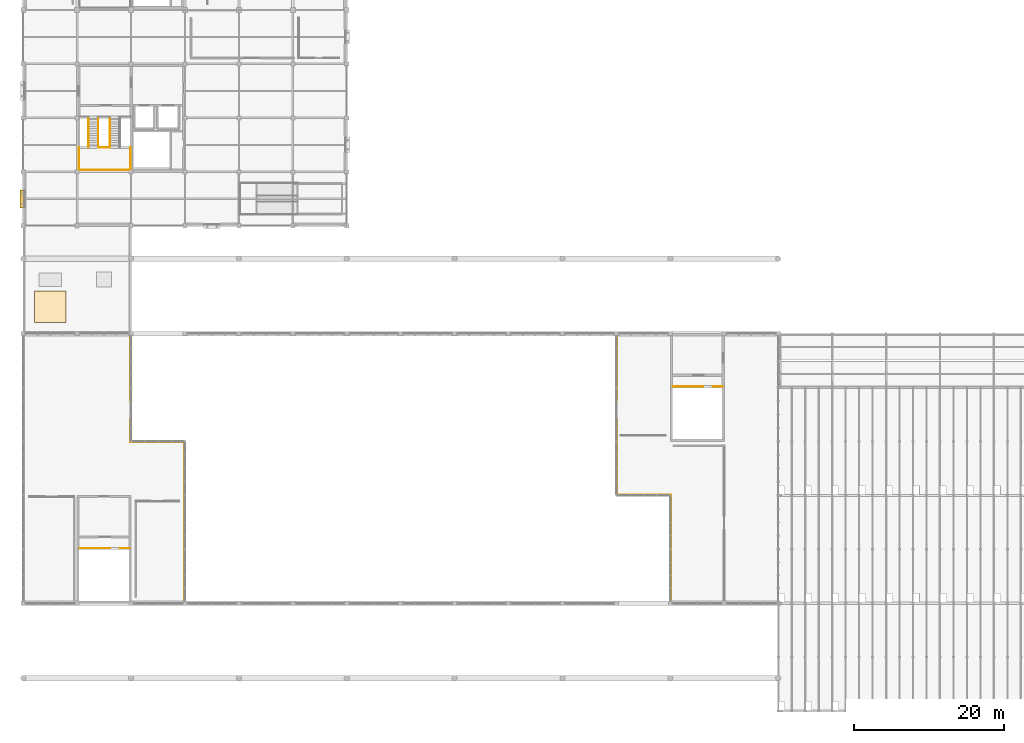
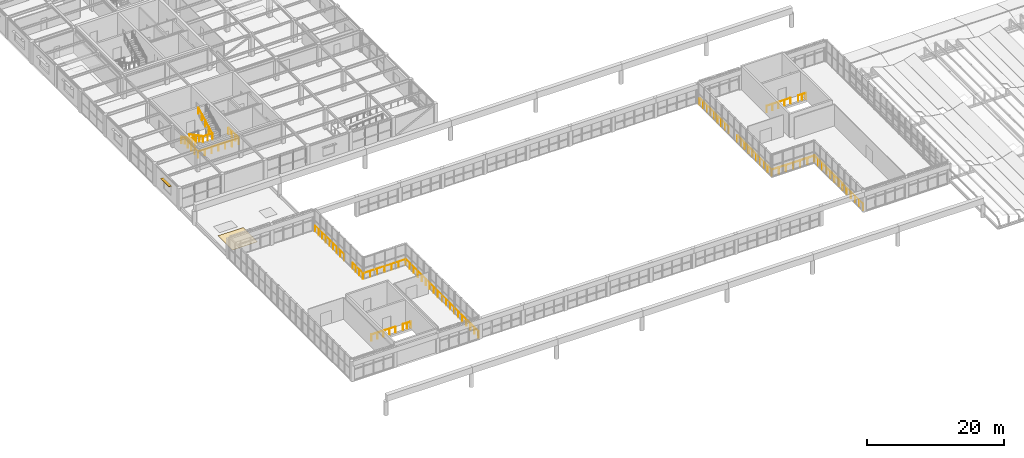
# One storey, part 79 of 83: 18 railings, 1 covering, 1 shading device.
"""IFC4 building model written with IfcOpenShell, lengths in metres."""

from ifc_helpers import new_model, si_unit, direction, frame, origin, origin_2d, place, context, subcontext, project, spatial, rectangle, circle, extrude, material, layer, layer_set, type_object, element, save


model = new_model("IFC4")

# Units and contexts
model_context = context("Model", 3, precision=1e-05, world=origin(), true_north=direction((0.0, 1.0)))
body_context = subcontext(model_context, "Body", "Model", "MODEL_VIEW")
ifc_project = project(units=[si_unit("LENGTHUNIT", "METRE"), si_unit("AREAUNIT", "SQUARE_METRE"), si_unit("VOLUMEUNIT", "CUBIC_METRE"), si_unit("PLANEANGLEUNIT", "RADIAN"), si_unit("MASSUNIT", "GRAM", prefix="KILO")], contexts=[model_context])

# Site, building, storey
site_placement = place(None, origin())
site = spatial("IfcSite", under=ifc_project, at=site_placement, CompositionType="ELEMENT")
building_placement = place(site_placement, origin())
building = spatial("IfcBuilding", under=site, at=building_placement, Name="Leyfeld Transit Interchange", CompositionType="ELEMENT")
storey_placement = place(building_placement, frame((0.0, 0.0, 5.39990234375)))
storey = spatial("IfcBuildingStorey", under=building, at=storey_placement, Name="L01", CompositionType="ELEMENT", Elevation=5.39990234375)

# Covering
ifc_material_1 = material(Name="Standing-seam titanium-zinc roofing", Category="metal")
ifc_layer_1 = layer(ifc_material_1, 0.034912109375, Name="Standing-seam titanium-zinc roofing")
ifc_layer_set_1 = layer_set([ifc_layer_1], Name="Standing-seam titanium-zinc roofing")
covering_type = type_object("IfcCoveringType", Name="COV-ROF-ZNC", PredefinedType="ROOFING", material=ifc_layer_set_1)
covering_placement = place(storey_placement, frame((3.60009765625, 54.0, 0.00048828125), z_axis=(0.0, 0.0, 1.0), x_axis=(1.0, 0.0, 0.0)))
element("IfcCovering", 1, at=covering_placement, inside=storey, type_object=covering_type, Name="Zinc Roof Membrane L01 01", PredefinedType="ROOFING", context=body_context, shape_type="SweptSolid", body=[
    extrude(rectangle(XDim=4.199951171875, YDim=4.199951171875, at=origin_2d()), origin(), (0.0, 0.0, 1.0), 0.034912109375),
])

# Railings
ifc_material_2 = material(Name="Stainless steel EN 1.4404", Category="steel")
railing_type_1 = type_object("IfcRailingType", Name="RL-STR-GRD-1100", PredefinedType="GUARDRAIL", material=ifc_material_2)
railing_1_placement = place(storey_placement, frame((10.010009765625, 75.22998046875, 2.10009765625)))
element("IfcRailing", 2, at=railing_1_placement, inside=storey, type_object=railing_type_1, Name="Stair ST-03 L01 Half-Landing Inner Guard", PredefinedType="GUARDRAIL", context=body_context, shape_type="SweptSolid", body=[
    extrude(circle(Radius=0.02392578125, at=origin_2d()), frame((0.0, 0.0, 1.09619140625), z_axis=(1.0, 0.0, 0.0), x_axis=(0.0, 1.0, 0.0)), (0.0, 0.0, 1.0), 1.580078125),
    extrude(circle(Radius=0.02099609375, at=origin_2d()), origin(), (0.0, 0.0, 1.0), 1.072021484375),
    extrude(circle(Radius=0.02099609375, at=origin_2d()), frame((0.7900390625, 0.0, 0.0)), (0.0, 0.0, 1.0), 1.072021484375),
    extrude(circle(Radius=0.02099609375, at=origin_2d()), frame((1.580078125, 0.0, 0.0)), (0.0, 0.0, 1.0), 1.072021484375),
])
railing_2_placement = place(storey_placement, frame((7.455078125, 75.22998046875, 2.10009765625)))
element("IfcRailing", 3, at=railing_2_placement, inside=storey, type_object=railing_type_1, Name="Stair ST-03 L01 Half-Landing Perimeter Guard", PredefinedType="GUARDRAIL", context=body_context, shape_type="SweptSolid", body=[
    extrude(circle(Radius=0.02392578125, at=origin_2d()), frame((0.0, 0.0, 1.09619140625), z_axis=(0.0, -1.0, 0.0), x_axis=(1.0, 0.0, 0.0)), (0.0, 0.0, 1.0), 2.97509765625),
    extrude(circle(Radius=0.02392578125, at=origin_2d()), frame((0.0, -2.97509765625, 1.09619140625), z_axis=(1.0, 0.0, 0.0), x_axis=(0.0, 1.0, 0.0)), (0.0, 0.0, 1.0), 6.864990234375),
    extrude(circle(Radius=0.02392578125, at=origin_2d()), frame((6.864990234375, -2.97509765625, 1.09619140625), z_axis=(0.0, 1.0, 0.0), x_axis=(-1.0, 0.0, 0.0)), (0.0, 0.0, 1.0), 2.97509765625),
    extrude(circle(Radius=0.02099609375, at=origin_2d()), origin(), (0.0, 0.0, 1.0), 1.072021484375),
    extrude(circle(Radius=0.02099609375, at=origin_2d()), frame((0.0, -0.99169921875, 0.0)), (0.0, 0.0, 1.0), 1.072021484375),
    extrude(circle(Radius=0.02099609375, at=origin_2d()), frame((0.0, -1.9833984375, 0.0)), (0.0, 0.0, 1.0), 1.072021484375),
    extrude(circle(Radius=0.02099609375, at=origin_2d()), frame((0.0, -2.97509765625, 0.0)), (0.0, 0.0, 1.0), 1.072021484375),
    extrude(circle(Radius=0.02099609375, at=origin_2d()), frame((1.14404296875, -2.97509765625, 0.0)), (0.0, 0.0, 1.0), 1.072021484375),
    extrude(circle(Radius=0.02099609375, at=origin_2d()), frame((2.288330078125, -2.97509765625, 0.0)), (0.0, 0.0, 1.0), 1.072021484375),
    extrude(circle(Radius=0.02099609375, at=origin_2d()), frame((3.4326171875, -2.97509765625, 0.0)), (0.0, 0.0, 1.0), 1.072021484375),
    extrude(circle(Radius=0.02099609375, at=origin_2d()), frame((4.57666015625, -2.97509765625, 0.0)), (0.0, 0.0, 1.0), 1.072021484375),
    extrude(circle(Radius=0.02099609375, at=origin_2d()), frame((5.720703125, -2.97509765625, 0.0)), (0.0, 0.0, 1.0), 1.072021484375),
    extrude(circle(Radius=0.02099609375, at=origin_2d()), frame((6.864990234375, -2.97509765625, 0.0)), (0.0, 0.0, 1.0), 1.072021484375),
    extrude(circle(Radius=0.02099609375, at=origin_2d()), frame((6.864990234375, -1.9833984375, 0.0)), (0.0, 0.0, 1.0), 1.072021484375),
    extrude(circle(Radius=0.02099609375, at=origin_2d()), frame((6.864990234375, -0.99169921875, 0.0)), (0.0, 0.0, 1.0), 1.072021484375),
    extrude(circle(Radius=0.02099609375, at=origin_2d()), frame((6.864990234375, 0.0, 0.0)), (0.0, 0.0, 1.0), 1.072021484375),
])
for number, where, name in (
    (4, (10.010009765625, 79.300048828125, 0.0), "Stair ST-03 L01 F1 Inner Guard"),
    (5, (8.68994140625, 79.300048828125, 0.0), "Stair ST-03 L01 F1 Outer Guard"),
):
    element("IfcRailing", number, at=place(storey_placement, frame(where)), inside=storey, type_object=railing_type_1, Name=name, PredefinedType="GUARDRAIL", context=body_context, shape_type="SweptSolid", body=[
        extrude(circle(Radius=0.02392578125, at=origin_2d()), frame((0.0, 0.0, 1.09619140625), z_axis=(0.0, -0.88681272381, 0.462128978628), x_axis=(1.0, 0.0, 0.0)), (0.0, 0.0, 1.0), 4.54443359375),
        extrude(circle(Radius=0.02099609375, at=origin_2d()), origin(), (0.0, 0.0, 1.0), 1.072021484375),
        extrude(circle(Radius=0.02099609375, at=origin_2d()), frame((0.0, -1.007568359375, 0.52490234375)), (0.0, 0.0, 1.0), 1.072021484375),
        extrude(circle(Radius=0.02099609375, at=origin_2d()), frame((0.0, -2.01513671875, 1.050048828125)), (0.0, 0.0, 1.0), 1.072021484375),
        extrude(circle(Radius=0.02099609375, at=origin_2d()), frame((0.0, -3.0224609375, 1.5751953125)), (0.0, 0.0, 1.0), 1.072021484375),
        extrude(circle(Radius=0.02099609375, at=origin_2d()), frame((0.0, -4.030029296875, 2.10009765625)), (0.0, 0.0, 1.0), 1.072021484375),
    ])
railing_3_placement = place(storey_placement, frame((11.590087890625, 75.27001953125, 2.10009765625)))
element("IfcRailing", 6, at=railing_3_placement, inside=storey, type_object=railing_type_1, Name="Stair ST-03 L01 F2 Inner Guard", PredefinedType="GUARDRAIL", context=body_context, shape_type="SweptSolid", body=[
    extrude(circle(Radius=0.02392578125, at=origin_2d()), frame((0.0, 0.0, 1.09619140625), z_axis=(0.0, 0.88681272381, 0.462128978628), x_axis=(-1.0, 0.0, 0.0)), (0.0, 0.0, 1.0), 4.54443359375),
    extrude(circle(Radius=0.02099609375, at=origin_2d()), origin(), (0.0, 0.0, 1.0), 1.072021484375),
    extrude(circle(Radius=0.02099609375, at=origin_2d()), frame((0.0, 1.007568359375, 0.52490234375)), (0.0, 0.0, 1.0), 1.072021484375),
    extrude(circle(Radius=0.02099609375, at=origin_2d()), frame((0.0, 2.01513671875, 1.050048828125)), (0.0, 0.0, 1.0), 1.072021484375),
    extrude(circle(Radius=0.02099609375, at=origin_2d()), frame((0.0, 3.0224609375, 1.5751953125)), (0.0, 0.0, 1.0), 1.072021484375),
    extrude(circle(Radius=0.02099609375, at=origin_2d()), frame((0.0, 4.030029296875, 2.10009765625)), (0.0, 0.0, 1.0), 1.072021484375),
])
railing_4_placement = place(storey_placement, frame((7.56005859375, 21.75, 0.0)))
element("IfcRailing", 7, at=railing_4_placement, inside=storey, type_object=railing_type_1, Name="Stair ST-06 Landing Guard TOPW L01", PredefinedType="GUARDRAIL", context=body_context, shape_type="SweptSolid", body=[
    extrude(circle(Radius=0.02392578125, at=origin_2d()), frame((0.0, 0.0, 1.09619140625), z_axis=(1.0, 0.0, 0.0), x_axis=(0.0, 1.0, 0.0)), (0.0, 0.0, 1.0), 4.0400390625),
    extrude(circle(Radius=0.02099609375, at=origin_2d()), origin(), (0.0, 0.0, 1.0), 1.072021484375),
    extrude(circle(Radius=0.02099609375, at=origin_2d()), frame((1.010009765625, 0.0, 0.0)), (0.0, 0.0, 1.0), 1.072021484375),
    extrude(circle(Radius=0.02099609375, at=origin_2d()), frame((2.02001953125, 0.0, 0.0)), (0.0, 0.0, 1.0), 1.072021484375),
    extrude(circle(Radius=0.02099609375, at=origin_2d()), frame((3.030029296875, 0.0, 0.0)), (0.0, 0.0, 1.0), 1.072021484375),
    extrude(circle(Radius=0.02099609375, at=origin_2d()), frame((4.0400390625, 0.0, 0.0)), (0.0, 0.0, 1.0), 1.072021484375),
])
railing_5_placement = place(storey_placement, frame((12.89990234375, 21.75, 0.0)))
element("IfcRailing", 8, at=railing_5_placement, inside=storey, type_object=railing_type_1, Name="Stair ST-06 Landing Guard TOPE L01", PredefinedType="GUARDRAIL", context=body_context, shape_type="SweptSolid", body=[
    extrude(circle(Radius=0.02392578125, at=origin_2d()), frame((0.0, 0.0, 1.09619140625), z_axis=(1.0, 0.0, 0.0), x_axis=(0.0, 1.0, 0.0)), (0.0, 0.0, 1.0), 1.31005859375),
    extrude(circle(Radius=0.02099609375, at=origin_2d()), origin(), (0.0, 0.0, 1.0), 1.072021484375),
    extrude(circle(Radius=0.02099609375, at=origin_2d()), frame((0.655029296875, 0.0, 0.0)), (0.0, 0.0, 1.0), 1.072021484375),
    extrude(circle(Radius=0.02099609375, at=origin_2d()), frame((1.31005859375, 0.0, 0.0)), (0.0, 0.0, 1.0), 1.072021484375),
])
railing_6_placement = place(storey_placement, frame((86.760009765625, 43.35009765625, 0.0)))
element("IfcRailing", 9, at=railing_6_placement, inside=storey, type_object=railing_type_1, Name="Stair ST-07 Landing Guard TOPW L01", PredefinedType="GUARDRAIL", context=body_context, shape_type="SweptSolid", body=[
    extrude(circle(Radius=0.02392578125, at=origin_2d()), frame((0.0, 0.0, 1.09619140625), z_axis=(1.0, 0.0, 0.0), x_axis=(0.0, 1.0, 0.0)), (0.0, 0.0, 1.0), 4.0400390625),
    extrude(circle(Radius=0.02099609375, at=origin_2d()), origin(), (0.0, 0.0, 1.0), 1.072021484375),
    extrude(circle(Radius=0.02099609375, at=origin_2d()), frame((1.010009765625, 0.0, 0.0)), (0.0, 0.0, 1.0), 1.072021484375),
    extrude(circle(Radius=0.02099609375, at=origin_2d()), frame((2.02001953125, 0.0, 0.0)), (0.0, 0.0, 1.0), 1.072021484375),
    extrude(circle(Radius=0.02099609375, at=origin_2d()), frame((3.030029296875, 0.0, 0.0)), (0.0, 0.0, 1.0), 1.072021484375),
    extrude(circle(Radius=0.02099609375, at=origin_2d()), frame((4.0400390625, 0.0, 0.0)), (0.0, 0.0, 1.0), 1.072021484375),
])
railing_7_placement = place(storey_placement, frame((92.10009765625, 43.35009765625, 0.0)))
element("IfcRailing", 10, at=railing_7_placement, inside=storey, type_object=railing_type_1, Name="Stair ST-07 Landing Guard TOPE L01", PredefinedType="GUARDRAIL", context=body_context, shape_type="SweptSolid", body=[
    extrude(circle(Radius=0.02392578125, at=origin_2d()), frame((0.0, 0.0, 1.09619140625), z_axis=(1.0, 0.0, 0.0), x_axis=(0.0, 1.0, 0.0)), (0.0, 0.0, 1.0), 1.289794921875),
    extrude(circle(Radius=0.02099609375, at=origin_2d()), origin(), (0.0, 0.0, 1.0), 1.072021484375),
    extrude(circle(Radius=0.02099609375, at=origin_2d()), frame((0.64501953125, 0.0, 0.0)), (0.0, 0.0, 1.0), 1.072021484375),
    extrude(circle(Radius=0.02099609375, at=origin_2d()), frame((1.289794921875, 0.0, 0.0)), (0.0, 0.0, 1.0), 1.072021484375),
])
railing_8_placement = place(storey_placement, frame((14.320068359375, 36.0, 0.0)))
element("IfcRailing", 11, at=railing_8_placement, inside=storey, type_object=railing_type_1, Name="Atrium Overlook Guard L01 01", PredefinedType="GUARDRAIL", context=body_context, shape_type="SweptSolid", body=[
    extrude(circle(Radius=0.02392578125, at=origin_2d()), frame((0.0, 0.0, 1.09619140625), z_axis=(0.0, 1.0, 0.0), x_axis=(-1.0, 0.0, 0.0)), (0.0, 0.0, 1.0), 2.949951171875),
    extrude(circle(Radius=0.02099609375, at=origin_2d()), origin(), (0.0, 0.0, 1.0), 1.072021484375),
    extrude(circle(Radius=0.02099609375, at=origin_2d()), frame((0.0, 0.9833984375, 0.0)), (0.0, 0.0, 1.0), 1.072021484375),
    extrude(circle(Radius=0.02099609375, at=origin_2d()), frame((0.0, 1.966552734375, 0.0)), (0.0, 0.0, 1.0), 1.072021484375),
    extrude(circle(Radius=0.02099609375, at=origin_2d()), frame((0.0, 2.949951171875, 0.0)), (0.0, 0.0, 1.0), 1.072021484375),
])
railing_9_placement = place(storey_placement, frame((14.320068359375, 41.449951171875, 0.0)))
element("IfcRailing", 12, at=railing_9_placement, inside=storey, type_object=railing_type_1, Name="Atrium Overlook Guard L01 02", PredefinedType="GUARDRAIL", context=body_context, shape_type="SweptSolid", body=[
    extrude(circle(Radius=0.02392578125, at=origin_2d()), frame((0.0, 0.0, 1.09619140625), z_axis=(0.0, 1.0, 0.0), x_axis=(-1.0, 0.0, 0.0)), (0.0, 0.0, 1.0), 8.449951171875),
    extrude(circle(Radius=0.02099609375, at=origin_2d()), origin(), (0.0, 0.0, 1.0), 1.072021484375),
    extrude(circle(Radius=0.02099609375, at=origin_2d()), frame((0.0, 1.05615234375, 0.0)), (0.0, 0.0, 1.0), 1.072021484375),
    extrude(circle(Radius=0.02099609375, at=origin_2d()), frame((0.0, 2.112548828125, 0.0)), (0.0, 0.0, 1.0), 1.072021484375),
    extrude(circle(Radius=0.02099609375, at=origin_2d()), frame((0.0, 3.168701171875, 0.0)), (0.0, 0.0, 1.0), 1.072021484375),
    extrude(circle(Radius=0.02099609375, at=origin_2d()), frame((0.0, 4.22509765625, 0.0)), (0.0, 0.0, 1.0), 1.072021484375),
    extrude(circle(Radius=0.02099609375, at=origin_2d()), frame((0.0, 5.28125, 0.0)), (0.0, 0.0, 1.0), 1.072021484375),
    extrude(circle(Radius=0.02099609375, at=origin_2d()), frame((0.0, 6.33740234375, 0.0)), (0.0, 0.0, 1.0), 1.072021484375),
    extrude(circle(Radius=0.02099609375, at=origin_2d()), frame((0.0, 7.393798828125, 0.0)), (0.0, 0.0, 1.0), 1.072021484375),
    extrude(circle(Radius=0.02099609375, at=origin_2d()), frame((0.0, 8.449951171875, 0.0)), (0.0, 0.0, 1.0), 1.072021484375),
])
railing_10_placement = place(storey_placement, frame((14.320068359375, 35.919921875, 0.0)))
element("IfcRailing", 13, at=railing_10_placement, inside=storey, type_object=railing_type_1, Name="Atrium Overlook Guard L01 03", PredefinedType="GUARDRAIL", context=body_context, shape_type="SweptSolid", body=[
    extrude(circle(Radius=0.02392578125, at=origin_2d()), frame((0.0, 0.0, 1.09619140625), z_axis=(1.0, 0.0, 0.0), x_axis=(0.0, 1.0, 0.0)), (0.0, 0.0, 1.0), 7.199951171875),
    extrude(circle(Radius=0.02099609375, at=origin_2d()), origin(), (0.0, 0.0, 1.0), 1.072021484375),
    extrude(circle(Radius=0.02099609375, at=origin_2d()), frame((1.199951171875, 0.0, 0.0)), (0.0, 0.0, 1.0), 1.072021484375),
    extrude(circle(Radius=0.02099609375, at=origin_2d()), frame((2.39990234375, 0.0, 0.0)), (0.0, 0.0, 1.0), 1.072021484375),
    extrude(circle(Radius=0.02099609375, at=origin_2d()), frame((3.60009765625, 0.0, 0.0)), (0.0, 0.0, 1.0), 1.072021484375),
    extrude(circle(Radius=0.02099609375, at=origin_2d()), frame((4.800048828125, 0.0, 0.0)), (0.0, 0.0, 1.0), 1.072021484375),
    extrude(circle(Radius=0.02099609375, at=origin_2d()), frame((6.0, 0.0, 0.0)), (0.0, 0.0, 1.0), 1.072021484375),
    extrude(circle(Radius=0.02099609375, at=origin_2d()), frame((7.199951171875, 0.0, 0.0)), (0.0, 0.0, 1.0), 1.072021484375),
])
railing_11_placement = place(storey_placement, frame((21.52001953125, 14.60009765625, 0.0)))
element("IfcRailing", 14, at=railing_11_placement, inside=storey, type_object=railing_type_1, Name="Atrium Overlook Guard L01 04", PredefinedType="GUARDRAIL", context=body_context, shape_type="SweptSolid", body=[
    extrude(circle(Radius=0.02392578125, at=origin_2d()), frame((0.0, 0.0, 1.09619140625), z_axis=(0.0, 1.0, 0.0), x_axis=(-1.0, 0.0, 0.0)), (0.0, 0.0, 1.0), 21.31982421875),
    extrude(circle(Radius=0.02099609375, at=origin_2d()), origin(), (0.0, 0.0, 1.0), 1.072021484375),
    extrude(circle(Radius=0.02099609375, at=origin_2d()), frame((0.0, 1.184326171875, 0.0)), (0.0, 0.0, 1.0), 1.072021484375),
    extrude(circle(Radius=0.02099609375, at=origin_2d()), frame((0.0, 2.368896484375, 0.0)), (0.0, 0.0, 1.0), 1.072021484375),
    extrude(circle(Radius=0.02099609375, at=origin_2d()), frame((0.0, 3.55322265625, 0.0)), (0.0, 0.0, 1.0), 1.072021484375),
    extrude(circle(Radius=0.02099609375, at=origin_2d()), frame((0.0, 4.73779296875, 0.0)), (0.0, 0.0, 1.0), 1.072021484375),
    extrude(circle(Radius=0.02099609375, at=origin_2d()), frame((0.0, 5.922119140625, 0.0)), (0.0, 0.0, 1.0), 1.072021484375),
    extrude(circle(Radius=0.02099609375, at=origin_2d()), frame((0.0, 7.106689453125, 0.0)), (0.0, 0.0, 1.0), 1.072021484375),
    extrude(circle(Radius=0.02099609375, at=origin_2d()), frame((0.0, 8.291015625, 0.0)), (0.0, 0.0, 1.0), 1.072021484375),
    extrude(circle(Radius=0.02099609375, at=origin_2d()), frame((0.0, 9.4755859375, 0.0)), (0.0, 0.0, 1.0), 1.072021484375),
    extrude(circle(Radius=0.02099609375, at=origin_2d()), frame((0.0, 10.659912109375, 0.0)), (0.0, 0.0, 1.0), 1.072021484375),
    extrude(circle(Radius=0.02099609375, at=origin_2d()), frame((0.0, 11.84423828125, 0.0)), (0.0, 0.0, 1.0), 1.072021484375),
    extrude(circle(Radius=0.02099609375, at=origin_2d()), frame((0.0, 13.02880859375, 0.0)), (0.0, 0.0, 1.0), 1.072021484375),
    extrude(circle(Radius=0.02099609375, at=origin_2d()), frame((0.0, 14.213134765625, 0.0)), (0.0, 0.0, 1.0), 1.072021484375),
    extrude(circle(Radius=0.02099609375, at=origin_2d()), frame((0.0, 15.397705078125, 0.0)), (0.0, 0.0, 1.0), 1.072021484375),
    extrude(circle(Radius=0.02099609375, at=origin_2d()), frame((0.0, 16.58203125, 0.0)), (0.0, 0.0, 1.0), 1.072021484375),
    extrude(circle(Radius=0.02099609375, at=origin_2d()), frame((0.0, 17.7666015625, 0.0)), (0.0, 0.0, 1.0), 1.072021484375),
    extrude(circle(Radius=0.02099609375, at=origin_2d()), frame((0.0, 18.950927734375, 0.0)), (0.0, 0.0, 1.0), 1.072021484375),
    extrude(circle(Radius=0.02099609375, at=origin_2d()), frame((0.0, 20.135498046875, 0.0)), (0.0, 0.0, 1.0), 1.072021484375),
    extrude(circle(Radius=0.02099609375, at=origin_2d()), frame((0.0, 21.31982421875, 0.0)), (0.0, 0.0, 1.0), 1.072021484375),
])
railing_12_placement = place(storey_placement, frame((86.47998046875, 14.60009765625, 0.0)))
element("IfcRailing", 15, at=railing_12_placement, inside=storey, type_object=railing_type_1, Name="Atrium Overlook Guard L01 05", PredefinedType="GUARDRAIL", context=body_context, shape_type="SweptSolid", body=[
    extrude(circle(Radius=0.02392578125, at=origin_2d()), frame((0.0, 0.0, 1.09619140625), z_axis=(0.0, 1.0, 0.0), x_axis=(-1.0, 0.0, 0.0)), (0.0, 0.0, 1.0), 14.27978515625),
    extrude(circle(Radius=0.02099609375, at=origin_2d()), origin(), (0.0, 0.0, 1.0), 1.072021484375),
    extrude(circle(Radius=0.02099609375, at=origin_2d()), frame((0.0, 1.18994140625, 0.0)), (0.0, 0.0, 1.0), 1.072021484375),
    extrude(circle(Radius=0.02099609375, at=origin_2d()), frame((0.0, 2.3798828125, 0.0)), (0.0, 0.0, 1.0), 1.072021484375),
    extrude(circle(Radius=0.02099609375, at=origin_2d()), frame((0.0, 3.56982421875, 0.0)), (0.0, 0.0, 1.0), 1.072021484375),
    extrude(circle(Radius=0.02099609375, at=origin_2d()), frame((0.0, 4.760009765625, 0.0)), (0.0, 0.0, 1.0), 1.072021484375),
    extrude(circle(Radius=0.02099609375, at=origin_2d()), frame((0.0, 5.949951171875, 0.0)), (0.0, 0.0, 1.0), 1.072021484375),
    extrude(circle(Radius=0.02099609375, at=origin_2d()), frame((0.0, 7.139892578125, 0.0)), (0.0, 0.0, 1.0), 1.072021484375),
    extrude(circle(Radius=0.02099609375, at=origin_2d()), frame((0.0, 8.329833984375, 0.0)), (0.0, 0.0, 1.0), 1.072021484375),
    extrude(circle(Radius=0.02099609375, at=origin_2d()), frame((0.0, 9.519775390625, 0.0)), (0.0, 0.0, 1.0), 1.072021484375),
    extrude(circle(Radius=0.02099609375, at=origin_2d()), frame((0.0, 10.7099609375, 0.0)), (0.0, 0.0, 1.0), 1.072021484375),
    extrude(circle(Radius=0.02099609375, at=origin_2d()), frame((0.0, 11.89990234375, 0.0)), (0.0, 0.0, 1.0), 1.072021484375),
    extrude(circle(Radius=0.02099609375, at=origin_2d()), frame((0.0, 13.08984375, 0.0)), (0.0, 0.0, 1.0), 1.072021484375),
    extrude(circle(Radius=0.02099609375, at=origin_2d()), frame((0.0, 14.27978515625, 0.0)), (0.0, 0.0, 1.0), 1.072021484375),
])
railing_13_placement = place(storey_placement, frame((79.280029296875, 28.8798828125, 0.0)))
element("IfcRailing", 16, at=railing_13_placement, inside=storey, type_object=railing_type_1, Name="Atrium Overlook Guard L01 06", PredefinedType="GUARDRAIL", context=body_context, shape_type="SweptSolid", body=[
    extrude(circle(Radius=0.02392578125, at=origin_2d()), frame((0.0, 0.0, 1.09619140625), z_axis=(1.0, 0.0, 0.0), x_axis=(0.0, 1.0, 0.0)), (0.0, 0.0, 1.0), 7.199951171875),
    extrude(circle(Radius=0.02099609375, at=origin_2d()), origin(), (0.0, 0.0, 1.0), 1.072021484375),
    extrude(circle(Radius=0.02099609375, at=origin_2d()), frame((1.199951171875, 0.0, 0.0)), (0.0, 0.0, 1.0), 1.072021484375),
    extrude(circle(Radius=0.02099609375, at=origin_2d()), frame((2.39990234375, 0.0, 0.0)), (0.0, 0.0, 1.0), 1.072021484375),
    extrude(circle(Radius=0.02099609375, at=origin_2d()), frame((3.60009765625, 0.0, 0.0)), (0.0, 0.0, 1.0), 1.072021484375),
    extrude(circle(Radius=0.02099609375, at=origin_2d()), frame((4.800048828125, 0.0, 0.0)), (0.0, 0.0, 1.0), 1.072021484375),
    extrude(circle(Radius=0.02099609375, at=origin_2d()), frame((6.0, 0.0, 0.0)), (0.0, 0.0, 1.0), 1.072021484375),
    extrude(circle(Radius=0.02099609375, at=origin_2d()), frame((7.199951171875, 0.0, 0.0)), (0.0, 0.0, 1.0), 1.072021484375),
])
railing_14_placement = place(storey_placement, frame((79.280029296875, 28.8798828125, 0.0)))
element("IfcRailing", 17, at=railing_14_placement, inside=storey, type_object=railing_type_1, Name="Atrium Overlook Guard L01 07", PredefinedType="GUARDRAIL", context=body_context, shape_type="SweptSolid", body=[
    extrude(circle(Radius=0.02392578125, at=origin_2d()), frame((0.0, 0.0, 1.09619140625), z_axis=(0.0, 1.0, 0.0), x_axis=(-1.0, 0.0, 0.0)), (0.0, 0.0, 1.0), 10.070068359375),
    extrude(circle(Radius=0.02099609375, at=origin_2d()), origin(), (0.0, 0.0, 1.0), 1.072021484375),
    extrude(circle(Radius=0.02099609375, at=origin_2d()), frame((0.0, 1.118896484375, 0.0)), (0.0, 0.0, 1.0), 1.072021484375),
    extrude(circle(Radius=0.02099609375, at=origin_2d()), frame((0.0, 2.23779296875, 0.0)), (0.0, 0.0, 1.0), 1.072021484375),
    extrude(circle(Radius=0.02099609375, at=origin_2d()), frame((0.0, 3.356689453125, 0.0)), (0.0, 0.0, 1.0), 1.072021484375),
    extrude(circle(Radius=0.02099609375, at=origin_2d()), frame((0.0, 4.4755859375, 0.0)), (0.0, 0.0, 1.0), 1.072021484375),
    extrude(circle(Radius=0.02099609375, at=origin_2d()), frame((0.0, 5.594482421875, 0.0)), (0.0, 0.0, 1.0), 1.072021484375),
    extrude(circle(Radius=0.02099609375, at=origin_2d()), frame((0.0, 6.71337890625, 0.0)), (0.0, 0.0, 1.0), 1.072021484375),
    extrude(circle(Radius=0.02099609375, at=origin_2d()), frame((0.0, 7.832275390625, 0.0)), (0.0, 0.0, 1.0), 1.072021484375),
    extrude(circle(Radius=0.02099609375, at=origin_2d()), frame((0.0, 8.951171875, 0.0)), (0.0, 0.0, 1.0), 1.072021484375),
    extrude(circle(Radius=0.02099609375, at=origin_2d()), frame((0.0, 10.070068359375, 0.0)), (0.0, 0.0, 1.0), 1.072021484375),
])
railing_15_placement = place(storey_placement, frame((79.280029296875, 41.449951171875, 0.0)))
element("IfcRailing", 18, at=railing_15_placement, inside=storey, type_object=railing_type_1, Name="Atrium Overlook Guard L01 08", PredefinedType="GUARDRAIL", context=body_context, shape_type="SweptSolid", body=[
    extrude(circle(Radius=0.02392578125, at=origin_2d()), frame((0.0, 0.0, 1.09619140625), z_axis=(0.0, 1.0, 0.0), x_axis=(-1.0, 0.0, 0.0)), (0.0, 0.0, 1.0), 8.449951171875),
    extrude(circle(Radius=0.02099609375, at=origin_2d()), origin(), (0.0, 0.0, 1.0), 1.072021484375),
    extrude(circle(Radius=0.02099609375, at=origin_2d()), frame((0.0, 1.05615234375, 0.0)), (0.0, 0.0, 1.0), 1.072021484375),
    extrude(circle(Radius=0.02099609375, at=origin_2d()), frame((0.0, 2.112548828125, 0.0)), (0.0, 0.0, 1.0), 1.072021484375),
    extrude(circle(Radius=0.02099609375, at=origin_2d()), frame((0.0, 3.168701171875, 0.0)), (0.0, 0.0, 1.0), 1.072021484375),
    extrude(circle(Radius=0.02099609375, at=origin_2d()), frame((0.0, 4.22509765625, 0.0)), (0.0, 0.0, 1.0), 1.072021484375),
    extrude(circle(Radius=0.02099609375, at=origin_2d()), frame((0.0, 5.28125, 0.0)), (0.0, 0.0, 1.0), 1.072021484375),
    extrude(circle(Radius=0.02099609375, at=origin_2d()), frame((0.0, 6.33740234375, 0.0)), (0.0, 0.0, 1.0), 1.072021484375),
    extrude(circle(Radius=0.02099609375, at=origin_2d()), frame((0.0, 7.393798828125, 0.0)), (0.0, 0.0, 1.0), 1.072021484375),
    extrude(circle(Radius=0.02099609375, at=origin_2d()), frame((0.0, 8.449951171875, 0.0)), (0.0, 0.0, 1.0), 1.072021484375),
])
railing_type_2 = type_object("IfcRailingType", Name="RL-STR-HND-900", PredefinedType="HANDRAIL", material=ifc_material_2)
railing_16_placement = place(storey_placement, frame((8.75, 79.300048828125, 0.0)))
element("IfcRailing", 19, at=railing_16_placement, inside=storey, type_object=railing_type_2, Name="Stair ST-03 L01 F1 Handrail", PredefinedType="HANDRAIL", context=body_context, shape_type="SweptSolid", body=[
    extrude(circle(Radius=0.02392578125, at=origin_2d()), frame((0.0, 0.0, 0.8759765625), z_axis=(0.0, -0.88681272381, 0.462128978628), x_axis=(1.0, 0.0, 0.0)), (0.0, 0.0, 1.0), 4.54443359375),
    extrude(circle(Radius=0.02099609375, at=origin_2d()), origin(), (0.0, 0.0, 1.0), 0.851806640625),
    extrude(circle(Radius=0.02099609375, at=origin_2d()), frame((0.0, -1.007568359375, 0.52490234375)), (0.0, 0.0, 1.0), 0.851806640625),
    extrude(circle(Radius=0.02099609375, at=origin_2d()), frame((0.0, -2.01513671875, 1.050048828125)), (0.0, 0.0, 1.0), 0.851806640625),
    extrude(circle(Radius=0.02099609375, at=origin_2d()), frame((0.0, -3.0224609375, 1.5751953125)), (0.0, 0.0, 1.0), 0.851806640625),
    extrude(circle(Radius=0.02099609375, at=origin_2d()), frame((0.0, -4.030029296875, 2.10009765625)), (0.0, 0.0, 1.0), 0.851806640625),
])

# Shading device
ifc_material_3 = material(Name="Austrian larch glulam GL28h", Category="wood")
ifc_layer_2 = layer(ifc_material_3, 0.06494140625, Name="Austrian larch glulam GL28h")
ifc_layer_set_2 = layer_set([ifc_layer_2], Name="Austrian larch glulam GL28h")
shading_device_type = type_object("IfcShadingDeviceType", Name="SHD-LRC-450", PredefinedType="JALOUSIE", material=ifc_layer_set_2)
shading_device_placement = place(storey_placement, frame((-0.205078125, 68.39990234375, 2.667724609375), z_axis=(0.0, 0.0, 1.0), x_axis=(0.0, 1.0, 0.0)))
element("IfcShadingDevice", 20, at=shading_device_placement, inside=storey, type_object=shading_device_type, Name="Prairie Solar Shading Fin 023", PredefinedType="JALOUSIE", context=body_context, shape_type="SweptSolid", body=[
    extrude(rectangle(XDim=2.39990234375, YDim=0.449951171875, at=origin_2d()), origin(), (0.0, 0.0, 1.0), 0.06494140625),
])

save(model, "model.ifc")
